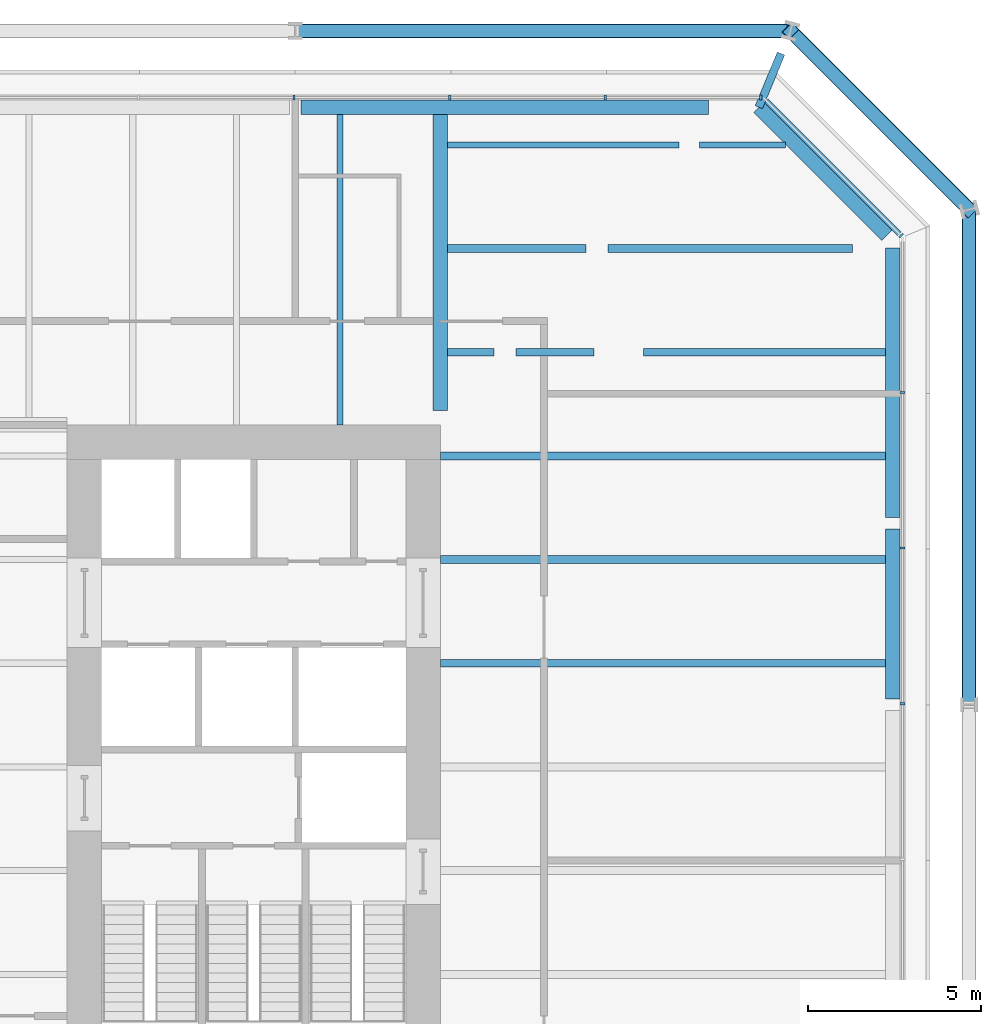
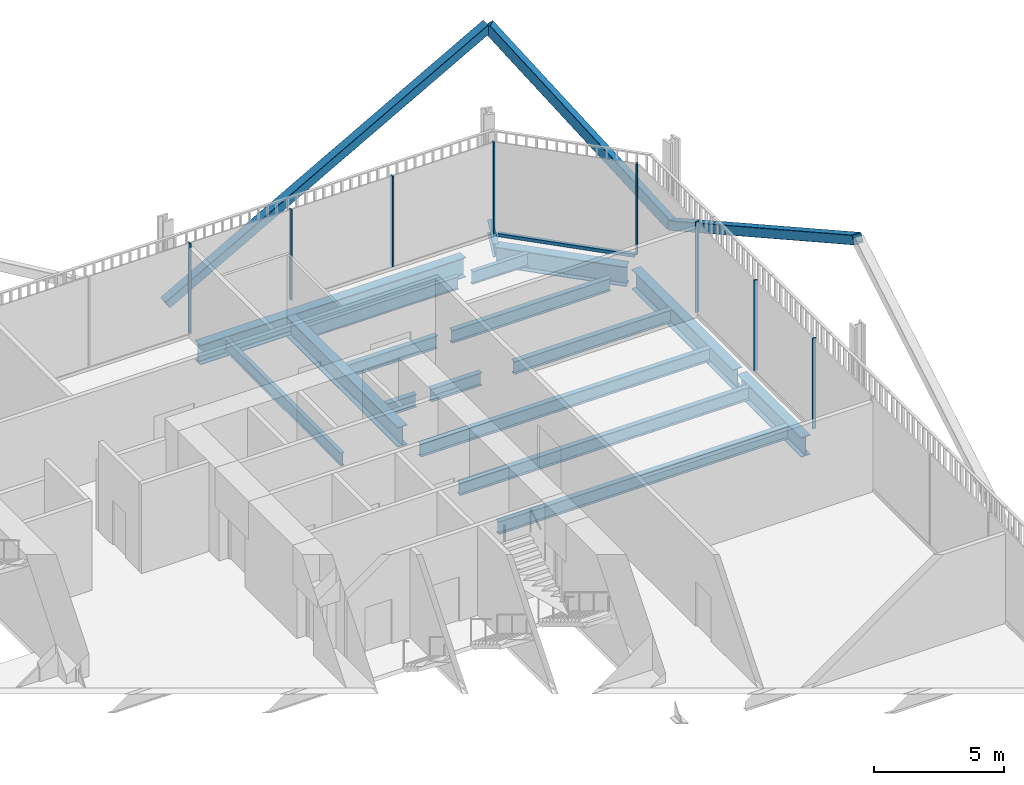
# One storey, part 15 of 21: 17 beams, 12 members, 3 elements without a shape of their own.
"""IFC4 building model written with IfcOpenShell, lengths in metres."""

from ifc_helpers import new_model, si_unit, direction, frame, origin, origin_2d, place, context, subcontext, project, spatial, rectangle, hollow_rectangle, i_section, extrude, material, layer, layer_set, material_profile, profile_set, type_object, element, aggregate, save


model = new_model("IFC4")

# Units and contexts
model_context = context("Model", 3, precision=1e-05, world=origin(), true_north=direction((0.0, 1.0)))
body_context = subcontext(model_context, "Body", "Model", "MODEL_VIEW")
ifc_project = project(units=[si_unit("LENGTHUNIT", "METRE"), si_unit("AREAUNIT", "SQUARE_METRE"), si_unit("VOLUMEUNIT", "CUBIC_METRE"), si_unit("PLANEANGLEUNIT", "RADIAN"), si_unit("MASSUNIT", "GRAM", prefix="KILO")], contexts=[model_context])

# Site, building, storey
site_placement = place(None, origin())
site = spatial("IfcSite", under=ifc_project, at=site_placement, CompositionType="ELEMENT")
building_placement = place(site_placement, origin())
building = spatial("IfcBuilding", under=site, at=building_placement, Name="Millrace Tower", CompositionType="ELEMENT")
storey_placement = place(building_placement, frame((0.0, 0.0, 73.199951171875)))
storey = spatial("IfcBuildingStorey", under=building, at=storey_placement, Name="L16", CompositionType="ELEMENT", Elevation=73.199951171875)

# Curtain wall, members
ifc_material_1 = material(Name="Aluminium and glass", Category="aluminium")
ifc_layer = layer(ifc_material_1, 0.14990234375)
ifc_layer_set = layer_set([ifc_layer], Name="Aluminium and glass")
curtain_wall_type = type_object("IfcCurtainWallType", Name="CW-3 telecom floor curtain wall", PredefinedType="NOTDEFINED", material=ifc_layer_set)
placement = place(storey_placement, origin())
curtain_wall_1 = element("IfcCurtainWall", 1, at=placement, inside=storey, type_object=curtain_wall_type, Name="Curtain wall B-F04 L16", PredefinedType="NOTDEFINED")
ifc_material_2 = material(Name="Aluminium", Category="aluminium")
ifc_material_profile_1 = material_profile(ifc_material_2, rectangle(XDim=0.06494140625, YDim=0.14990234375, at=origin_2d()))
ifc_profile_set_1 = profile_set([ifc_material_profile_1], Name="Aluminium")
member_type_1 = type_object("IfcMemberType", Name="CW-3 telecom floor curtain wall mullion", PredefinedType="MULLION", material=ifc_profile_set_1)
member_1_placement = place(storey_placement, frame((28.27490234375, 1.83251953125, 0.150146484375), z_axis=(0.0, 0.0, 1.0), x_axis=(0.0, 1.0, 0.0)))
member_1 = element("IfcMember", 2, at=member_1_placement, type_object=member_type_1, Name="CW3 mullion B-F04.7", PredefinedType="MULLION", context=body_context, shape_type="SweptSolid", body=[
    extrude(rectangle(XDim=0.06494140625, YDim=0.14990234375, at=origin_2d()), origin(), (0.0, 0.0, 1.0), 4.25),
])
member_2_placement = place(storey_placement, frame((28.27490234375, 6.33251953125, 0.150146484375), z_axis=(0.0, 0.0, 1.0), x_axis=(0.0, 1.0, 0.0)))
member_2 = element("IfcMember", 3, at=member_2_placement, type_object=member_type_1, Name="CW3 mullion B-F04.8", PredefinedType="MULLION", context=body_context, shape_type="SweptSolid", body=[
    extrude(rectangle(XDim=0.06494140625, YDim=0.14990234375, at=origin_2d()), origin(), (0.0, 0.0, 1.0), 4.25),
])
member_3_placement = place(storey_placement, frame((28.27490234375, 10.83251953125, 0.150146484375), z_axis=(0.0, 0.0, 1.0), x_axis=(0.0, 1.0, 0.0)))
member_3 = element("IfcMember", 4, at=member_3_placement, type_object=member_type_1, Name="CW3 mullion B-F04.9", PredefinedType="MULLION", context=body_context, shape_type="SweptSolid", body=[
    extrude(rectangle(XDim=0.06494140625, YDim=0.14990234375, at=origin_2d()), origin(), (0.0, 0.0, 1.0), 4.25),
])
aggregate(curtain_wall_1, [member_1, member_2, member_3])

# Curtain wall, member
curtain_wall_2 = element("IfcCurtainWall", 5, at=placement, inside=storey, type_object=curtain_wall_type, Name="Curtain wall B-F05 L16", PredefinedType="NOTDEFINED")
member_4_placement = place(storey_placement, frame((28.22998046875, 15.3759765625, 0.150146484375), z_axis=(0.0, 0.0, 1.0), x_axis=(-0.707106781187, 0.707106781187, 0.0)))
member_4 = element("IfcMember", 6, at=member_4_placement, type_object=member_type_1, Name="CW3 mullion B-F05.1", PredefinedType="MULLION", context=body_context, shape_type="SweptSolid", body=[
    extrude(rectangle(XDim=0.06494140625, YDim=0.14990234375, at=origin_2d()), origin(), (0.0, 0.0, 1.0), 4.25),
])

# Curtain wall, members
curtain_wall_3 = element("IfcCurtainWall", 7, at=placement, inside=storey, type_object=curtain_wall_type, Name="Curtain wall B-F06 L16", PredefinedType="NOTDEFINED")
member_5_placement = place(storey_placement, frame((24.16748046875, 19.375, 0.150146484375), z_axis=(0.0, 0.0, 1.0), x_axis=(-1.0, 0.0, 0.0)))
member_5 = element("IfcMember", 8, at=member_5_placement, type_object=member_type_1, Name="CW3 mullion B-F06.1", PredefinedType="MULLION", context=body_context, shape_type="SweptSolid", body=[
    extrude(rectangle(XDim=0.06494140625, YDim=0.14990234375, at=origin_2d()), origin(), (0.0, 0.0, 1.0), 4.25),
])
member_6_placement = place(storey_placement, frame((19.66748046875, 19.375, 0.150146484375), z_axis=(0.0, 0.0, 1.0), x_axis=(-1.0, 0.0, 0.0)))
member_6 = element("IfcMember", 9, at=member_6_placement, type_object=member_type_1, Name="CW3 mullion B-F06.2", PredefinedType="MULLION", context=body_context, shape_type="SweptSolid", body=[
    extrude(rectangle(XDim=0.06494140625, YDim=0.14990234375, at=origin_2d()), origin(), (0.0, 0.0, 1.0), 4.25),
])
member_7_placement = place(storey_placement, frame((15.16748046875, 19.375, 0.150146484375), z_axis=(0.0, 0.0, 1.0), x_axis=(-1.0, 0.0, 0.0)))
member_7 = element("IfcMember", 10, at=member_7_placement, type_object=member_type_1, Name="CW3 mullion B-F06.3", PredefinedType="MULLION", context=body_context, shape_type="SweptSolid", body=[
    extrude(rectangle(XDim=0.06494140625, YDim=0.14990234375, at=origin_2d()), origin(), (0.0, 0.0, 1.0), 4.25),
])
member_8_placement = place(storey_placement, frame((10.66748046875, 19.375, 0.150146484375), z_axis=(0.0, 0.0, 1.0), x_axis=(-1.0, 0.0, 0.0)))
member_8 = element("IfcMember", 11, at=member_8_placement, type_object=member_type_1, Name="CW3 mullion B-F06.4", PredefinedType="MULLION", context=body_context, shape_type="SweptSolid", body=[
    extrude(rectangle(XDim=0.06494140625, YDim=0.14990234375, at=origin_2d()), origin(), (0.0, 0.0, 1.0), 4.25),
])
aggregate(curtain_wall_3, [member_5, member_6, member_7, member_8])

# Member
ifc_material_3 = material(Name="Aluminium", Category="aluminium")
ifc_material_profile_2 = material_profile(ifc_material_3, rectangle(XDim=0.14990234375, YDim=0.14990234375, at=origin_2d()))
ifc_profile_set_2 = profile_set([ifc_material_profile_2], Name="Aluminium")
member_type_2 = type_object("IfcMemberType", Name="CW-3 telecom floor curtain wall transom", PredefinedType="USERDEFINED", material=ifc_profile_set_2)
member_9_placement = place(storey_placement, frame((28.182373046875, 15.423828125, 0.074951171875), z_axis=(-0.707129151258, 0.707084410407, 0.0), x_axis=(-0.707084410407, -0.707129151258, 0.0)))
member_9 = element("IfcMember", 12, at=member_9_placement, type_object=member_type_2, Name="CW3 transom B-F05.1", ObjectType="TRANSOM", PredefinedType="USERDEFINED", context=body_context, shape_type="SweptSolid", body=[
    extrude(rectangle(XDim=0.14990234375, YDim=0.14990234375, at=origin_2d()), origin(), (0.0, 0.0, 1.0), 5.456787109375),
])

aggregate(curtain_wall_2, [member_4, member_9])

# Members
ifc_material_4 = material(Name="Steel ASTM A500 Grade C", Category="steel")
ifc_material_profile_3 = material_profile(ifc_material_4, hollow_rectangle(XDim=0.406494140625, YDim=0.406494140625, WallThickness=0.015869140625, InnerFilletRadius=0.008056640625, OuterFilletRadius=0.02392578125, at=origin_2d()))
ifc_profile_set_3 = profile_set([ifc_material_profile_3], Name="Steel ASTM A500 Grade C")
member_type_3 = type_object("IfcMemberType", Name="Exoskeleton brace HSS16x16x5/8", PredefinedType="BRACE", material=ifc_profile_set_3)
member_10_placement = place(storey_placement, frame((30.199951171875, 16.12841796875, 0.400146484375), z_axis=(0.0, -0.873125840427, 0.487494888976), x_axis=(1.0, 0.0, 0.0)))
element("IfcMember", 13, at=member_10_placement, inside=storey, type_object=member_type_3, Name="BRC-B-L16-08", PredefinedType="BRACE", context=body_context, shape_type="SweptSolid", body=[
    extrude(hollow_rectangle(XDim=0.406494140625, YDim=0.406494140625, WallThickness=0.015869140625, InnerFilletRadius=0.008056640625, OuterFilletRadius=0.02392578125, at=origin_2d()), origin(), (0.0, 0.0, 1.0), 16.410400390625),
])
member_11_placement = place(storey_placement, frame((30.199951171875, 16.12841796875, 0.400146484375), z_axis=(-0.477116280189, 0.477116280189, 0.738051563482), x_axis=(-0.707106781187, -0.707106781187, 0.0)))
element("IfcMember", 14, at=member_11_placement, inside=storey, type_object=member_type_3, Name="BRC-B-L16-09", PredefinedType="BRACE", context=body_context, shape_type="SweptSolid", body=[
    extrude(hollow_rectangle(XDim=0.406494140625, YDim=0.406494140625, WallThickness=0.015869140625, InnerFilletRadius=0.008056640625, OuterFilletRadius=0.02392578125, at=origin_2d()), origin(), (0.0, 0.0, 1.0), 10.83935546875),
])
member_12_placement = place(storey_placement, frame((10.699951171875, 21.300048828125, 0.400146484375), z_axis=(0.873125840427, 0.0, 0.487494888976), x_axis=(0.0, 1.0, 0.0)))
element("IfcMember", 15, at=member_12_placement, inside=storey, type_object=member_type_3, Name="BRC-B-L16-10", PredefinedType="BRACE", context=body_context, shape_type="SweptSolid", body=[
    extrude(hollow_rectangle(XDim=0.406494140625, YDim=0.406494140625, WallThickness=0.015869140625, InnerFilletRadius=0.008056640625, OuterFilletRadius=0.02392578125, at=origin_2d()), origin(), (0.0, 0.0, 1.0), 16.410400390625),
])

# Beams
ifc_material_5 = material(Name="Steel ASTM A992 Grade 50", Category="steel")
ifc_material_profile_4 = material_profile(ifc_material_5, i_section(OverallWidth=0.177978515625, OverallDepth=0.599365234375, WebThickness=0.010009765625, FlangeThickness=0.012939453125, FilletRadius=0.012939453125, at=origin_2d()))
ifc_profile_set_4 = profile_set([ifc_material_profile_4], Name="Steel ASTM A992 Grade 50")
beam_type_1 = type_object("IfcBeamType", Name="Floor beam W24x55", PredefinedType="JOIST", material=ifc_profile_set_4)
beam_1_placement = place(storey_placement, frame((12.0, 9.89990234375, -0.499755859375), z_axis=(0.0, 1.0, 0.0), x_axis=(-1.0, 0.0, 0.0)))
element("IfcBeam", 16, at=beam_1_placement, inside=storey, type_object=beam_type_1, Name="BM-B-L16-S1-S056", PredefinedType="JOIST", context=body_context, shape_type="SweptSolid", body=[
    extrude(i_section(OverallWidth=0.177978515625, OverallDepth=0.599365234375, WebThickness=0.010009765625, FlangeThickness=0.012939453125, FilletRadius=0.012939453125, at=origin_2d()), origin(), (0.0, 0.0, 1.0), 8.98095703125),
])
beam_2_placement = place(storey_placement, frame((15.11083984375, 18.0, -0.499755859375), z_axis=(1.0, 0.0, 0.0), x_axis=(0.0, 1.0, 0.0)))
element("IfcBeam", 17, at=beam_2_placement, inside=storey, type_object=beam_type_1, Name="BM-B-L16-S1-S039-a", PredefinedType="JOIST", context=body_context, shape_type="SweptSolid", body=[
    extrude(i_section(OverallWidth=0.177978515625, OverallDepth=0.599365234375, WebThickness=0.010009765625, FlangeThickness=0.012939453125, FilletRadius=0.012939453125, at=origin_2d()), origin(), (0.0, 0.0, 1.0), 6.686767578125),
])
beam_3_placement = place(storey_placement, frame((22.395263671875, 18.0, -0.499755859375), z_axis=(1.0, 0.0, 0.0), x_axis=(0.0, 1.0, 0.0)))
element("IfcBeam", 18, at=beam_3_placement, inside=storey, type_object=beam_type_1, Name="BM-B-L16-S1-S039-b", PredefinedType="JOIST", context=body_context, shape_type="SweptSolid", body=[
    extrude(i_section(OverallWidth=0.177978515625, OverallDepth=0.599365234375, WebThickness=0.010009765625, FlangeThickness=0.012939453125, FilletRadius=0.012939453125, at=origin_2d()), origin(), (0.0, 0.0, 1.0), 2.488037109375),
])
ifc_material_6 = material(Name="Steel ASTM A992 Grade 50", Category="steel")
ifc_material_profile_5 = material_profile(ifc_material_6, i_section(OverallWidth=0.228271484375, OverallDepth=0.607177734375, WebThickness=0.01123046875, FlangeThickness=0.017333984375, FilletRadius=0.0126953125, at=origin_2d()))
ifc_profile_set_5 = profile_set([ifc_material_profile_5], Name="Steel ASTM A992 Grade 50")
beam_type_2 = type_object("IfcBeamType", Name="Floor beam W24x76", PredefinedType="JOIST", material=ifc_profile_set_5)
for number, where, z_axis, x_axis, name in (
    (19, (14.89990234375, 3.0, -0.50341796875), (1.0, 0.0, 0.0), (0.0, 1.0, 0.0), "BM-B-L16-S1-S027"),
    (20, (14.89990234375, 6.0, -0.50341796875), (1.0, 0.0, 0.0), (0.0, 1.0, 0.0), "BM-B-L16-S1-S030"),
    (21, (14.89990234375, 9.0, -0.50341796875), (1.0, 0.0, 0.0), (0.0, 1.0, 0.0), "BM-B-L16-S1-S033"),
):
    element("IfcBeam", number, at=place(storey_placement, frame(where, z_axis=z_axis, x_axis=x_axis)), inside=storey, type_object=beam_type_2, Name=name, PredefinedType="JOIST", context=body_context, shape_type="SweptSolid", body=[
        extrude(i_section(OverallWidth=0.228271484375, OverallDepth=0.607177734375, WebThickness=0.01123046875, FlangeThickness=0.017333984375, FilletRadius=0.0126953125, at=origin_2d()), origin(), (0.0, 0.0, 1.0), 12.881103515625),
    ])
beam_4_placement = place(storey_placement, frame((20.777099609375, 12.0, -0.50341796875), z_axis=(1.0, 0.0, 0.0), x_axis=(0.0, 1.0, 0.0)))
element("IfcBeam", 22, at=beam_4_placement, inside=storey, type_object=beam_type_2, Name="BM-B-L16-S1-S035-b", PredefinedType="JOIST", context=body_context, shape_type="SweptSolid", body=[
    extrude(i_section(OverallWidth=0.228271484375, OverallDepth=0.607177734375, WebThickness=0.01123046875, FlangeThickness=0.017333984375, FilletRadius=0.0126953125, at=origin_2d()), origin(), (0.0, 0.0, 1.0), 7.00390625),
])
beam_5_placement = place(storey_placement, frame((15.11083984375, 12.0, -0.50341796875), z_axis=(1.0, 0.0, 0.0), x_axis=(0.0, 1.0, 0.0)))
element("IfcBeam", 23, at=beam_5_placement, inside=storey, type_object=beam_type_2, Name="BM-B-L16-S1-S035-a-a", PredefinedType="JOIST", context=body_context, shape_type="SweptSolid", body=[
    extrude(i_section(OverallWidth=0.228271484375, OverallDepth=0.607177734375, WebThickness=0.01123046875, FlangeThickness=0.017333984375, FilletRadius=0.0126953125, at=origin_2d()), origin(), (0.0, 0.0, 1.0), 1.33447265625),
])
beam_6_placement = place(storey_placement, frame((17.086181640625, 12.0, -0.50341796875), z_axis=(1.0, 0.0, 0.0), x_axis=(0.0, 1.0, 0.0)))
element("IfcBeam", 24, at=beam_6_placement, inside=storey, type_object=beam_type_2, Name="BM-B-L16-S1-S035-a-b", PredefinedType="JOIST", context=body_context, shape_type="SweptSolid", body=[
    extrude(i_section(OverallWidth=0.228271484375, OverallDepth=0.607177734375, WebThickness=0.01123046875, FlangeThickness=0.017333984375, FilletRadius=0.0126953125, at=origin_2d()), origin(), (0.0, 0.0, 1.0), 2.25390625),
])
beam_7_placement = place(storey_placement, frame((15.11083984375, 15.0, -0.50341796875), z_axis=(1.0, 0.0, 0.0), x_axis=(0.0, 1.0, 0.0)))
element("IfcBeam", 25, at=beam_7_placement, inside=storey, type_object=beam_type_2, Name="BM-B-L16-S1-S037-a", PredefinedType="JOIST", context=body_context, shape_type="SweptSolid", body=[
    extrude(i_section(OverallWidth=0.228271484375, OverallDepth=0.607177734375, WebThickness=0.01123046875, FlangeThickness=0.017333984375, FilletRadius=0.0126953125, at=origin_2d()), origin(), (0.0, 0.0, 1.0), 3.999755859375),
])
beam_8_placement = place(storey_placement, frame((19.751708984375, 15.0, -0.50341796875), z_axis=(1.0, 0.0, 0.0), x_axis=(0.0, 1.0, 0.0)))
element("IfcBeam", 26, at=beam_8_placement, inside=storey, type_object=beam_type_2, Name="BM-B-L16-S1-S037-b", PredefinedType="JOIST", context=body_context, shape_type="SweptSolid", body=[
    extrude(i_section(OverallWidth=0.228271484375, OverallDepth=0.607177734375, WebThickness=0.01123046875, FlangeThickness=0.017333984375, FilletRadius=0.0126953125, at=origin_2d()), origin(), (0.0, 0.0, 1.0), 7.068603515625),
])
ifc_material_7 = material(Name="Steel ASTM A992 Grade 50", Category="steel")
ifc_material_profile_6 = material_profile(ifc_material_7, i_section(OverallWidth=0.421630859375, OverallDepth=0.937255859375, WebThickness=0.021240234375, FlangeThickness=0.03662109375, FilletRadius=0.024169921875, at=origin_2d()))
ifc_profile_set_6 = profile_set([ifc_material_profile_6], Name="Steel ASTM A992 Grade 50")
beam_type_3 = type_object("IfcBeamType", Name="Girder short span W36x262", PredefinedType="BEAM", material=ifc_profile_set_6)
beam_9_placement = place(storey_placement, frame((14.89990234375, 10.310791015625, -0.668701171875), z_axis=(0.0, 1.0, 0.0), x_axis=(-1.0, 0.0, 0.0)))
element("IfcBeam", 27, at=beam_9_placement, inside=storey, type_object=beam_type_3, Name="BM-B-L16-S1-G060", PredefinedType="BEAM", context=body_context, shape_type="SweptSolid", body=[
    extrude(i_section(OverallWidth=0.421630859375, OverallDepth=0.937255859375, WebThickness=0.021240234375, FlangeThickness=0.03662109375, FilletRadius=0.024169921875, at=origin_2d()), origin(), (0.0, 0.0, 1.0), 8.570068359375),
])
ifc_material_8 = material(Name="Steel ASTM A992 Grade 50", Category="steel")
ifc_material_profile_7 = material_profile(ifc_material_8, i_section(OverallWidth=0.23046875, OverallDepth=0.6171875, WebThickness=0.01318359375, FlangeThickness=0.022216796875, FilletRadius=0.012939453125, at=origin_2d()))
ifc_profile_set_7 = profile_set([ifc_material_profile_7], Name="Steel ASTM A992 Grade 50")
beam_type_4 = type_object("IfcBeamType", Name="Link beam W24x94", PredefinedType="BEAM", material=ifc_profile_set_7)
beam_10_placement = place(storey_placement, frame((24.11328125, 19.09033203125, -0.508544921875), z_axis=(0.382642830977, 0.923896349112, 0.0), x_axis=(-0.923896349112, 0.382642830977, 0.0)))
element("IfcBeam", 28, at=beam_10_placement, inside=storey, type_object=beam_type_4, Name="LNK-B-L16-S1-08", PredefinedType="BEAM", context=body_context, shape_type="SweptSolid", body=[
    extrude(i_section(OverallWidth=0.23046875, OverallDepth=0.6171875, WebThickness=0.01318359375, FlangeThickness=0.022216796875, FilletRadius=0.012939453125, at=origin_2d()), origin(), (0.0, 0.0, 1.0), 1.67919921875),
])
ifc_material_9 = material(Name="Steel ASTM A992 Grade 50", Category="steel")
ifc_material_profile_8 = material_profile(ifc_material_9, i_section(OverallWidth=0.419189453125, OverallDepth=0.927001953125, WebThickness=0.019287109375, FlangeThickness=0.031982421875, FilletRadius=0.024169921875, at=origin_2d()))
ifc_profile_set_8 = profile_set([ifc_material_profile_8], Name="Steel ASTM A992 Grade 50")
beam_type_5 = type_object("IfcBeamType", Name="Ring beam short span W36x231", PredefinedType="SPANDREL", material=ifc_profile_set_8)
beam_11_placement = place(storey_placement, frame((10.861328125, 19.09033203125, -0.66357421875), z_axis=(1.0, 0.0, 0.0), x_axis=(0.0, 1.0, 0.0)))
element("IfcBeam", 29, at=beam_11_placement, inside=storey, type_object=beam_type_5, Name="RNG-B-L16-S1-07", PredefinedType="SPANDREL", context=body_context, shape_type="SweptSolid", body=[
    extrude(i_section(OverallWidth=0.419189453125, OverallDepth=0.927001953125, WebThickness=0.019287109375, FlangeThickness=0.031982421875, FilletRadius=0.024169921875, at=origin_2d()), origin(), (0.0, 0.0, 1.0), 11.800048828125),
])
beam_12_placement = place(storey_placement, frame((24.11328125, 19.09033203125, -0.66357421875), z_axis=(0.707106781187, -0.707106781187, 0.0), x_axis=(0.707106781187, 0.707106781187, 0.0)))
element("IfcBeam", 30, at=beam_12_placement, inside=storey, type_object=beam_type_5, Name="RNG-B-L16-S1-08", PredefinedType="SPANDREL", context=body_context, shape_type="SweptSolid", body=[
    extrude(i_section(OverallWidth=0.419189453125, OverallDepth=0.927001953125, WebThickness=0.019287109375, FlangeThickness=0.031982421875, FilletRadius=0.024169921875, at=origin_2d()), origin(), (0.0, 0.0, 1.0), 5.244140625),
])
beam_13_placement = place(storey_placement, frame((27.990478515625, 6.88720703125, -0.66357421875), z_axis=(0.0, -1.0, 0.0), x_axis=(1.0, 0.0, 0.0)))
element("IfcBeam", 31, at=beam_13_placement, inside=storey, type_object=beam_type_5, Name="RNG-B-L16-S1-09-b", PredefinedType="SPANDREL", context=body_context, shape_type="SweptSolid", body=[
    extrude(i_section(OverallWidth=0.419189453125, OverallDepth=0.927001953125, WebThickness=0.019287109375, FlangeThickness=0.031982421875, FilletRadius=0.024169921875, at=origin_2d()), origin(), (0.0, 0.0, 1.0), 4.926025390625),
])
beam_14_placement = place(storey_placement, frame((27.990478515625, 15.0107421875, -0.66357421875), z_axis=(0.0, -1.0, 0.0), x_axis=(1.0, 0.0, 0.0)))
element("IfcBeam", 32, at=beam_14_placement, inside=storey, type_object=beam_type_5, Name="RNG-B-L16-S1-09-a", PredefinedType="SPANDREL", context=body_context, shape_type="SweptSolid", body=[
    extrude(i_section(OverallWidth=0.419189453125, OverallDepth=0.927001953125, WebThickness=0.019287109375, FlangeThickness=0.031982421875, FilletRadius=0.024169921875, at=origin_2d()), origin(), (0.0, 0.0, 1.0), 7.7978515625),
])

save(model, "model.ifc")
